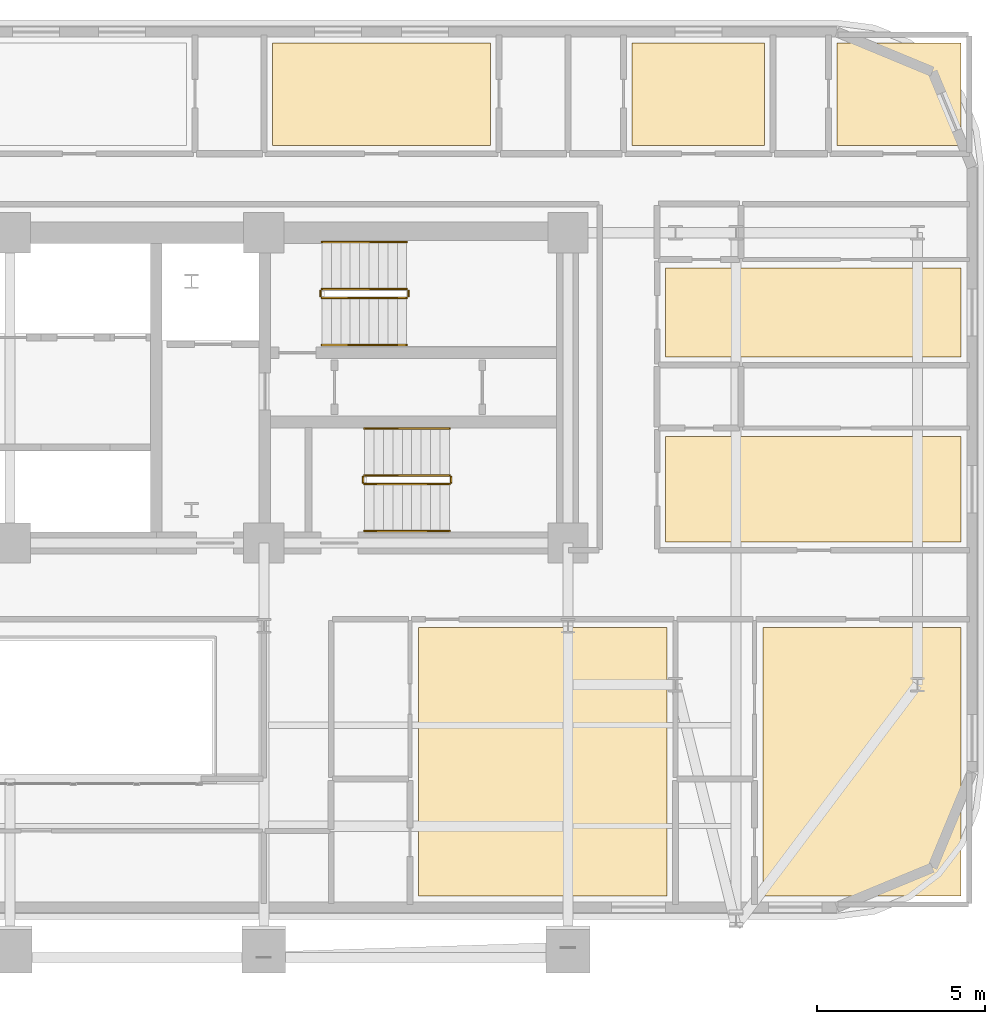
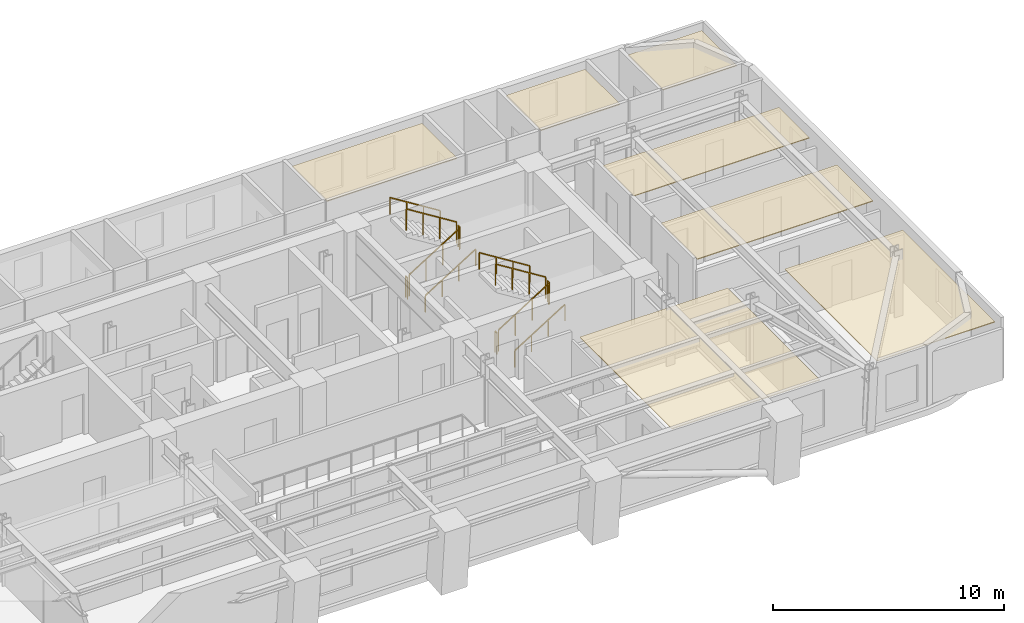
# One storey, part 15 of 15: 12 railings, 7 coverings.
"""IFC4 building model written with IfcOpenShell, lengths in metres."""

import ifcopenshell
import ifcopenshell.guid

model = None  # the IFC model being written
_history = None  # IfcOwnerHistory: only IFC2X3 demands one
_inside = {}  # id of a spatial element -> (the spatial element, [elements in it])
_under = {}  # id of a project, library or spatial element -> (it, [spatial elements below it])
_declared = {}  # id of a project -> (the project, [libraries it declares])
_typed = {}  # id of a type object -> (the type object, [elements of that type])
_made_of = {}  # id of a material, layer set ... -> (it, [elements and type objects made of it])


def new_model(schema):
    """Start an empty IFC model of exactly this schema.

    Asked for "IFC4X3", IfcOpenShell would pick the latest addendum, in which some entities
    have other attributes; the version numbers below select the first issue.
    IFC2X3 requires an IfcOwnerHistory on every rooted entity: one is made here for all.
    """
    global model, _history
    if schema == "IFC4X3":
        model = ifcopenshell.file(schema_version=(4, 3, 0, 0))
    else:
        model = ifcopenshell.file(schema=schema)
    _inside.clear()
    _under.clear()
    _declared.clear()
    _typed.clear()
    _made_of.clear()
    _history = None
    if model.schema == "IFC2X3":
        org = make("IfcOrganization", Name="unknown")
        user = make(
            "IfcPersonAndOrganization",
            ThePerson=make("IfcPerson", FamilyName="unknown"),
            TheOrganization=org,
        )
        app = make(
            "IfcApplication",
            ApplicationDeveloper=org,
            Version="unknown",
            ApplicationFullName="unknown",
            ApplicationIdentifier="unknown",
        )
        _history = make(
            "IfcOwnerHistory",
            OwningUser=user,
            OwningApplication=app,
            ChangeAction="ADDED",
            CreationDate=0,
        )
    return model


def make(cls, **values):
    """One entity of the class cls with the attributes given. An attribute that is None is left unset."""
    return model.create_entity(
        cls, **{name: value for name, value in values.items() if value is not None}
    )


def rooted(cls, **values):
    """An entity with a GlobalId (a new one), such as an element, a storey or a relation."""
    return make(cls, GlobalId=ifcopenshell.guid.new(), OwnerHistory=_history, **values)


def si_unit(unit_type, name, prefix=None):
    """IfcSIUnit, for example si_unit("LENGTHUNIT", "METRE", prefix="MILLI")."""
    return make("IfcSIUnit", UnitType=unit_type, Prefix=prefix, Name=name)


def assignment(units):
    """IfcUnitAssignment: the units of a project."""
    return None if units is None else make("IfcUnitAssignment", Units=units)


def point(xyz):
    """IfcCartesianPoint."""
    return None if xyz is None else make("IfcCartesianPoint", Coordinates=xyz)


def direction(xyz):
    """IfcDirection."""
    return None if xyz is None else make("IfcDirection", DirectionRatios=xyz)


def frame(location, z_axis=None, x_axis=None):
    """IfcAxis2Placement3D, a coordinate frame: its origin and axes. An axis left out is left unset."""
    return make(
        "IfcAxis2Placement3D",
        Location=point(location),
        Axis=direction(z_axis),
        RefDirection=direction(x_axis),
    )


def frame_2d(location, x_axis=None):
    """IfcAxis2Placement2D, a coordinate frame in the plane: its origin and x axis."""
    return make(
        "IfcAxis2Placement2D", Location=point(location), RefDirection=direction(x_axis)
    )


def origin():
    """The frame at (0, 0, 0) with its axes left unset."""
    return frame((0.0, 0.0, 0.0))


def origin_2d():
    """The frame at (0, 0) in the plane with its x axis left unset."""
    return frame_2d((0.0, 0.0))


def place(relative_to, where):
    """IfcLocalPlacement: puts the frame where relative to a parent placement (None: the world)."""
    return make(
        "IfcLocalPlacement", PlacementRelTo=relative_to, RelativePlacement=where
    )


def context(
    kind, dimensions, precision=None, world=None, true_north=None, identifier=None
):
    """IfcGeometricRepresentationContext, for example the 3D "Model" context."""
    return make(
        "IfcGeometricRepresentationContext",
        ContextIdentifier=identifier,
        ContextType=kind,
        CoordinateSpaceDimension=dimensions,
        Precision=precision,
        WorldCoordinateSystem=world,
        TrueNorth=true_north,
    )


def subcontext(parent, identifier, kind, view, scale=None):
    """IfcGeometricRepresentationSubContext, for example "Body" below "Model"."""
    return make(
        "IfcGeometricRepresentationSubContext",
        ContextIdentifier=identifier,
        ContextType=kind,
        ParentContext=parent,
        TargetScale=scale,
        TargetView=view,
    )


def project(units=None, contexts=None):
    """IfcProject with its units and contexts."""
    return rooted(
        "IfcProject",
        Name="project",
        RepresentationContexts=contexts,
        UnitsInContext=assignment(units),
    )


def spatial(cls, under=None, at=None, **own):
    """A site, building, storey or space (cls), placed at a placement, below another one or the project."""
    s = rooted(cls, ObjectPlacement=at, **own)
    if under is not None:
        _under.setdefault(under.id(), (under, []))[1].append(s)
    return s


def polyline(points):
    """IfcPolyline through the points."""
    return make("IfcPolyline", Points=[point(p) for p in points])


def profile(cls, at=None, kind="AREA", **sizes):
    """A parametric profile (cls). Its sizes go by their IFC names, for example OverallWidth=200.0."""
    return make(cls, ProfileType=kind, Position=at, **sizes)


def rectangle(**sizes):
    """IfcRectangleProfileDef."""
    return profile("IfcRectangleProfileDef", **sizes)


def outline(outer, holes=None, kind="AREA"):
    """IfcArbitraryClosedProfileDef: a profile drawn as a closed curve; with holes, ...WithVoids."""
    if holes is None:
        return make("IfcArbitraryClosedProfileDef", ProfileType=kind, OuterCurve=outer)
    return make(
        "IfcArbitraryProfileDefWithVoids",
        ProfileType=kind,
        OuterCurve=outer,
        InnerCurves=holes,
    )


def extrude(swept, where, along, depth):
    """IfcExtrudedAreaSolid: the profile swept, set in the frame where, extruded along a direction by depth."""
    return make(
        "IfcExtrudedAreaSolid",
        SweptArea=swept,
        Position=where,
        ExtrudedDirection=direction(along),
        Depth=depth,
    )


def shape(context_of_items, identifier, shape_type, items):
    """IfcShapeRepresentation: the items that make up one representation, for example the "Body"."""
    return make(
        "IfcShapeRepresentation",
        ContextOfItems=context_of_items,
        RepresentationIdentifier=identifier,
        RepresentationType=shape_type,
        Items=items,
    )


def material(Name=None, Category=None):
    """IfcMaterial."""
    return make("IfcMaterial", Name=Name, Category=Category)


def layer(
    of_material, thickness, ventilated=None, Name=None, Category=None, Priority=None
):
    """IfcMaterialLayer: one layer of a wall or slab, of a material (None: an air gap)."""
    return make(
        "IfcMaterialLayer",
        Material=of_material,
        LayerThickness=thickness,
        IsVentilated=ventilated,
        Name=Name,
        Category=Category,
        Priority=Priority,
    )


def layer_set(layers, Name=None):
    """IfcMaterialLayerSet."""
    return make("IfcMaterialLayerSet", MaterialLayers=layers, LayerSetName=Name)


def made_of(thing, what):
    """Note that an element or type object is made of a material, layer set ...; save() writes the relation."""
    if what is not None:
        _made_of.setdefault(what.id(), (what, []))[1].append(thing)
    return thing


def type_object(cls, material=None, **own):
    """A type object (cls), such as IfcWallType, which elements share."""
    return made_of(rooted(cls, **own), material)


def element(
    cls,
    number,
    at=None,
    inside=None,
    cuts=None,
    type_object=None,
    material=None,
    context=None,
    identifier="Body",
    shape_type=None,
    held_by="IfcProductDefinitionShape",
    body=None,
    shapes=None,
    **own,
):
    """One element of the class cls, such as IfcWall. Its Tag is "e" and its number.

    at: its placement. inside: the storey or other place that contains it. cuts: it is an
    opening in that element (IfcRelVoidsElement). A single representation is given by context,
    identifier, shape_type and body (its items); several are given by shapes. held_by: the class
    of the entity that holds the representations. save() writes the other relations.
    """
    e = rooted(cls, Tag="e%d" % number, ObjectPlacement=at, **own)
    if body is not None:
        shapes = [shape(context, identifier, shape_type, body)]
    if shapes is not None:
        e.Representation = make(held_by, Representations=shapes)
    if inside is not None:
        _inside.setdefault(inside.id(), (inside, []))[1].append(e)
    if cuts is not None:
        rooted(
            "IfcRelVoidsElement", RelatingBuildingElement=cuts, RelatedOpeningElement=e
        )
    if type_object is not None:
        _typed.setdefault(type_object.id(), (type_object, []))[1].append(e)
    return made_of(e, material)


def aggregate(whole, parts):
    """IfcRelAggregates: a whole, such as a stair, and the parts it consists of."""
    return rooted("IfcRelAggregates", RelatingObject=whole, RelatedObjects=parts)


def save(model, path):
    """Write the relations noted so far, then the file.

    IfcRelAggregates (storeys below a building ...), IfcRelContainedInSpatialStructure (elements
    in a storey), IfcRelDefinesByType, IfcRelAssociatesMaterial and IfcRelDeclares: one each for
    every whole, place, type object, material and project.
    """
    for whole, parts in _under.values():
        aggregate(whole, parts)
    for where, things in _inside.values():
        rooted(
            "IfcRelContainedInSpatialStructure",
            RelatedElements=things,
            RelatingStructure=where,
        )
    for kind, things in _typed.values():
        rooted("IfcRelDefinesByType", RelatedObjects=things, RelatingType=kind)
    for what, things in _made_of.values():
        rooted("IfcRelAssociatesMaterial", RelatedObjects=things, RelatingMaterial=what)
    for by, libraries in _declared.values():
        rooted("IfcRelDeclares", RelatingContext=by, RelatedDefinitions=libraries)
    model.write(path)


model = new_model("IFC4")

# Units and contexts
model_context = context("Model", 3, precision=1e-05, world=origin(), true_north=direction((0.0, 1.0)))
body_context = subcontext(model_context, "Body", "Model", "MODEL_VIEW")
ifc_project = project(units=[si_unit("LENGTHUNIT", "METRE"), si_unit("AREAUNIT", "SQUARE_METRE"), si_unit("VOLUMEUNIT", "CUBIC_METRE"), si_unit("PLANEANGLEUNIT", "RADIAN"), si_unit("MASSUNIT", "GRAM", prefix="KILO")], contexts=[model_context])

# Site, building, storey
site_placement = place(None, origin())
site = spatial("IfcSite", under=ifc_project, at=site_placement, CompositionType="ELEMENT")
building_placement = place(site_placement, origin())
building = spatial("IfcBuilding", under=site, at=building_placement, Name="Zarnavel Station Tower", CompositionType="ELEMENT")
storey_placement = place(building_placement, frame((0.0, 0.0, 115.300048828125)))
storey = spatial("IfcBuildingStorey", under=building, at=storey_placement, Name="L31", CompositionType="ELEMENT", Elevation=115.300048828125)

# Coverings
ifc_material_1 = material(Name="Perforated Gypsum and Mineral-Wool Acoustic Ceiling", Category="concrete")
ifc_layer = layer(ifc_material_1, 0.0400390625)
ifc_layer_set = layer_set([ifc_layer], Name="COV_CEIL_ACOUSTIC")
covering_type = type_object("IfcCoveringType", Name="COV_CEIL_ACOUSTIC", PredefinedType="CEILING", material=ifc_layer_set)
covering_1_placement = place(storey_placement, frame((0.0, 0.0, 2.919921875)))
element("IfcCovering", 1, at=covering_1_placement, inside=storey, type_object=covering_type, Name="L31 FNE1R Acoustic Ceiling", PredefinedType="CEILING", context=body_context, shape_type="SweptSolid", body=[
    extrude(outline(polyline([(48.300048828125, 27.85009765625), (57.090087890625, 27.85009765625), (57.090087890625, 30.986083984375), (48.300048828125, 30.986083984375), (48.300048828125, 27.85009765625)])), origin(), (0.0, 0.0, 1.0), 0.0400390625),
])
covering_2_placement = place(storey_placement, frame((0.0, 0.0, 2.919921875)))
element("IfcCovering", 2, at=covering_2_placement, inside=storey, type_object=covering_type, Name="L31 FNE2R Acoustic Ceiling", PredefinedType="CEILING", context=body_context, shape_type="SweptSolid", body=[
    extrude(outline(polyline([(48.300048828125, 33.35888671875), (57.090087890625, 33.35888671875), (57.090087890625, 36.0), (48.300048828125, 36.0), (48.300048828125, 33.35888671875)])), origin(), (0.0, 0.0, 1.0), 0.0400390625),
])
covering_3_placement = place(storey_placement, frame((0.0, 0.0, 2.919921875)))
element("IfcCovering", 3, at=covering_3_placement, inside=storey, type_object=covering_type, Name="L31 HN4R Acoustic Ceiling", PredefinedType="CEILING", context=body_context, shape_type="SweptSolid", body=[
    extrude(outline(polyline([(36.60009765625, 39.64990234375), (43.10009765625, 39.64990234375), (43.10009765625, 42.68994140625), (36.60009765625, 42.68994140625), (36.60009765625, 39.64990234375)])), origin(), (0.0, 0.0, 1.0), 0.0400390625),
])
covering_4_placement = place(storey_placement, frame((0.0, 0.0, 2.919921875)))
element("IfcCovering", 4, at=covering_4_placement, inside=storey, type_object=covering_type, Name="L31 HN5R Acoustic Ceiling", PredefinedType="CEILING", context=body_context, shape_type="SweptSolid", body=[
    extrude(outline(polyline([(47.300048828125, 39.64990234375), (51.25390625, 39.64990234375), (51.25390625, 42.68994140625), (47.300048828125, 42.68994140625), (47.300048828125, 39.64990234375)])), origin(), (0.0, 0.0, 1.0), 0.0400390625),
])
covering_5_placement = place(storey_placement, frame((0.0, 0.0, 2.919921875)))
element("IfcCovering", 5, at=covering_5_placement, inside=storey, type_object=covering_type, Name="L31 HN6R Acoustic Ceiling", PredefinedType="CEILING", context=body_context, shape_type="SweptSolid", body=[
    extrude(outline(polyline([(53.404052734375, 39.64990234375), (57.090087890625, 39.64990234375), (57.090087890625, 42.68994140625), (53.404052734375, 42.68994140625), (53.404052734375, 39.64990234375)])), origin(), (0.0, 0.0, 1.0), 0.0400390625),
])
covering_6_placement = place(storey_placement, frame((0.0, 0.0, 2.919921875)))
element("IfcCovering", 6, at=covering_6_placement, inside=storey, type_object=covering_type, Name="L31 HE1R Acoustic Ceiling", PredefinedType="CEILING", context=body_context, shape_type="SweptSolid", body=[
    extrude(outline(polyline([(40.949951171875, 17.31005859375), (48.35009765625, 17.31005859375), (48.35009765625, 25.300048828125), (40.949951171875, 25.300048828125), (40.949951171875, 17.31005859375)])), origin(), (0.0, 0.0, 1.0), 0.0400390625),
])
covering_7_placement = place(storey_placement, frame((0.0, 0.0, 2.919921875)))
element("IfcCovering", 7, at=covering_7_placement, inside=storey, type_object=covering_type, Name="L31 HE2R Acoustic Ceiling", PredefinedType="CEILING", context=body_context, shape_type="SweptSolid", body=[
    extrude(outline(polyline([(51.199951171875, 17.31005859375), (57.090087890625, 17.31005859375), (57.090087890625, 25.300048828125), (51.199951171875, 25.300048828125), (51.199951171875, 17.31005859375)])), origin(), (0.0, 0.0, 1.0), 0.0400390625),
])

# Railings
ifc_material_2 = material(Name="Painted Steel S355J2 Balustrade", Category="steel")
railing_type_1 = type_object("IfcRailingType", Name="GR_INT_1150", PredefinedType="GUARDRAIL", material=ifc_material_2)
railing_1_placement = place(storey_placement, frame((38.080078125, 35.110107421875, 0.175048828125)))
element("IfcRailing", 8, at=railing_1_placement, inside=storey, type_object=railing_type_1, Name="L31 ST2 stair guard 1", PredefinedType="GUARDRAIL", context=body_context, shape_type="SweptSolid", body=[
    extrude(rectangle(XDim=0.048095703125, YDim=0.048095703125, at=origin_2d()), frame((0.001708984375, 0.0, 1.126953125), z_axis=(0.848007534815, 0.0, 0.529984170421), x_axis=(0.0, 1.0, 0.0)), (0.0, 0.0, 1.0), 2.9677734375),
    extrude(rectangle(XDim=0.0419921875, YDim=0.0419921875, at=origin_2d()), origin(), (0.0, 0.0, 1.0), 1.101806640625),
    extrude(rectangle(XDim=0.0419921875, YDim=0.0419921875, at=origin_2d()), frame((0.840087890625, 0.0, 0.52490234375)), (0.0, 0.0, 1.0), 1.101806640625),
    extrude(rectangle(XDim=0.0419921875, YDim=0.0419921875, at=origin_2d()), frame((1.679931640625, 0.0, 1.050048828125)), (0.0, 0.0, 1.0), 1.101806640625),
    extrude(rectangle(XDim=0.0419921875, YDim=0.0419921875, at=origin_2d()), frame((2.52001953125, 0.0, 1.574951171875)), (0.0, 0.0, 1.0), 1.101806640625),
])
railing_2_placement = place(storey_placement, frame((40.64990234375, 35.159912109375, 1.75)))
element("IfcRailing", 9, at=railing_2_placement, inside=storey, type_object=railing_type_1, Name="L31 ST2 stair guard 2", PredefinedType="GUARDRAIL", context=body_context, shape_type="SweptSolid", body=[
    extrude(rectangle(XDim=0.048095703125, YDim=0.048095703125, at=origin_2d()), frame((0.0, 0.001953125, 1.1259765625), z_axis=(0.0, 1.0, 0.0), x_axis=(-1.0, 0.0, 0.0)), (0.0, 0.0, 1.0), 0.15625),
    extrude(rectangle(XDim=0.0419921875, YDim=0.0419921875, at=origin_2d()), origin(), (0.0, 0.0, 1.0), 1.101806640625),
    extrude(rectangle(XDim=0.0419921875, YDim=0.0419921875, at=origin_2d()), frame((0.0, 0.16015625, 0.0)), (0.0, 0.0, 1.0), 1.101806640625),
])
railing_3_placement = place(storey_placement, frame((40.60009765625, 35.3701171875, 1.925048828125)))
element("IfcRailing", 10, at=railing_3_placement, inside=storey, type_object=railing_type_1, Name="L31 ST2 stair guard 3", PredefinedType="GUARDRAIL", context=body_context, shape_type="SweptSolid", body=[
    extrude(rectangle(XDim=0.048095703125, YDim=0.048095703125, at=origin_2d()), frame((-0.001708984375, 0.0, 1.126953125), z_axis=(-0.848007534815, 0.0, 0.529984170421), x_axis=(0.0, -1.0, 0.0)), (0.0, 0.0, 1.0), 2.9677734375),
    extrude(rectangle(XDim=0.0419921875, YDim=0.0419921875, at=origin_2d()), origin(), (0.0, 0.0, 1.0), 1.101806640625),
    extrude(rectangle(XDim=0.0419921875, YDim=0.0419921875, at=origin_2d()), frame((-0.840087890625, 0.0, 0.52490234375)), (0.0, 0.0, 1.0), 1.101806640625),
    extrude(rectangle(XDim=0.0419921875, YDim=0.0419921875, at=origin_2d()), frame((-1.679931640625, 0.0, 1.050048828125)), (0.0, 0.0, 1.0), 1.101806640625),
    extrude(rectangle(XDim=0.0419921875, YDim=0.0419921875, at=origin_2d()), frame((-2.52001953125, 0.0, 1.574951171875)), (0.0, 0.0, 1.0), 1.101806640625),
])
railing_4_placement = place(storey_placement, frame((38.030029296875, 35.159912109375, 0.0)))
element("IfcRailing", 11, at=railing_4_placement, inside=storey, type_object=railing_type_1, Name="L31 ST2 stair guard 4", PredefinedType="GUARDRAIL", context=body_context, shape_type="SweptSolid", body=[
    extrude(rectangle(XDim=0.048095703125, YDim=0.048095703125, at=origin_2d()), frame((0.0, 0.001953125, 1.1259765625), z_axis=(0.0, 1.0, 0.0), x_axis=(-1.0, 0.0, 0.0)), (0.0, 0.0, 1.0), 0.15625),
    extrude(rectangle(XDim=0.0419921875, YDim=0.0419921875, at=origin_2d()), origin(), (0.0, 0.0, 1.0), 1.101806640625),
    extrude(rectangle(XDim=0.0419921875, YDim=0.0419921875, at=origin_2d()), frame((0.0, 0.16015625, 0.0)), (0.0, 0.0, 1.0), 1.101806640625),
])
railing_5_placement = place(storey_placement, frame((39.35009765625, 29.570068359375, 0.175048828125)))
element("IfcRailing", 12, at=railing_5_placement, inside=storey, type_object=railing_type_1, Name="L31 ST3 stair guard 1", PredefinedType="GUARDRAIL", context=body_context, shape_type="SweptSolid", body=[
    extrude(rectangle(XDim=0.048095703125, YDim=0.048095703125, at=origin_2d()), frame((0.001708984375, 0.0, 1.126953125), z_axis=(0.848007534815, 0.0, 0.529984170421), x_axis=(0.0, 1.0, 0.0)), (0.0, 0.0, 1.0), 2.9677734375),
    extrude(rectangle(XDim=0.0419921875, YDim=0.0419921875, at=origin_2d()), origin(), (0.0, 0.0, 1.0), 1.101806640625),
    extrude(rectangle(XDim=0.0419921875, YDim=0.0419921875, at=origin_2d()), frame((0.840087890625, 0.0, 0.52490234375)), (0.0, 0.0, 1.0), 1.101806640625),
    extrude(rectangle(XDim=0.0419921875, YDim=0.0419921875, at=origin_2d()), frame((1.679931640625, 0.0, 1.050048828125)), (0.0, 0.0, 1.0), 1.101806640625),
    extrude(rectangle(XDim=0.0419921875, YDim=0.0419921875, at=origin_2d()), frame((2.52001953125, 0.0, 1.574951171875)), (0.0, 0.0, 1.0), 1.101806640625),
])
railing_6_placement = place(storey_placement, frame((41.919921875, 29.6201171875, 1.75)))
element("IfcRailing", 13, at=railing_6_placement, inside=storey, type_object=railing_type_1, Name="L31 ST3 stair guard 2", PredefinedType="GUARDRAIL", context=body_context, shape_type="SweptSolid", body=[
    extrude(rectangle(XDim=0.048095703125, YDim=0.048095703125, at=origin_2d()), frame((0.0, 0.001953125, 1.1259765625), z_axis=(0.0, 1.0, 0.0), x_axis=(-1.0, 0.0, 0.0)), (0.0, 0.0, 1.0), 0.156005859375),
    extrude(rectangle(XDim=0.0419921875, YDim=0.0419921875, at=origin_2d()), origin(), (0.0, 0.0, 1.0), 1.101806640625),
    extrude(rectangle(XDim=0.0419921875, YDim=0.0419921875, at=origin_2d()), frame((0.0, 0.159912109375, 0.0)), (0.0, 0.0, 1.0), 1.101806640625),
])
railing_7_placement = place(storey_placement, frame((41.8701171875, 29.830078125, 1.925048828125)))
element("IfcRailing", 14, at=railing_7_placement, inside=storey, type_object=railing_type_1, Name="L31 ST3 stair guard 3", PredefinedType="GUARDRAIL", context=body_context, shape_type="SweptSolid", body=[
    extrude(rectangle(XDim=0.048095703125, YDim=0.048095703125, at=origin_2d()), frame((-0.001708984375, 0.0, 1.126953125), z_axis=(-0.848007534815, 0.0, 0.529984170421), x_axis=(0.0, -1.0, 0.0)), (0.0, 0.0, 1.0), 2.9677734375),
    extrude(rectangle(XDim=0.0419921875, YDim=0.0419921875, at=origin_2d()), origin(), (0.0, 0.0, 1.0), 1.101806640625),
    extrude(rectangle(XDim=0.0419921875, YDim=0.0419921875, at=origin_2d()), frame((-0.840087890625, 0.0, 0.52490234375)), (0.0, 0.0, 1.0), 1.101806640625),
    extrude(rectangle(XDim=0.0419921875, YDim=0.0419921875, at=origin_2d()), frame((-1.679931640625, 0.0, 1.050048828125)), (0.0, 0.0, 1.0), 1.101806640625),
    extrude(rectangle(XDim=0.0419921875, YDim=0.0419921875, at=origin_2d()), frame((-2.52001953125, 0.0, 1.574951171875)), (0.0, 0.0, 1.0), 1.101806640625),
])
railing_8_placement = place(storey_placement, frame((39.300048828125, 29.6201171875, 0.0)))
element("IfcRailing", 15, at=railing_8_placement, inside=storey, type_object=railing_type_1, Name="L31 ST3 stair guard 4", PredefinedType="GUARDRAIL", context=body_context, shape_type="SweptSolid", body=[
    extrude(rectangle(XDim=0.048095703125, YDim=0.048095703125, at=origin_2d()), frame((0.0, 0.001953125, 1.1259765625), z_axis=(0.0, 1.0, 0.0), x_axis=(-1.0, 0.0, 0.0)), (0.0, 0.0, 1.0), 0.156005859375),
    extrude(rectangle(XDim=0.0419921875, YDim=0.0419921875, at=origin_2d()), origin(), (0.0, 0.0, 1.0), 1.101806640625),
    extrude(rectangle(XDim=0.0419921875, YDim=0.0419921875, at=origin_2d()), frame((0.0, 0.159912109375, 0.0)), (0.0, 0.0, 1.0), 1.101806640625),
])
ifc_material_3 = material(Name="Brushed Stainless Steel S355J2 Handrail", Category="steel")
railing_type_2 = type_object("IfcRailingType", Name="HR_STAIR_900", PredefinedType="HANDRAIL", material=ifc_material_3)
railing_9_placement = place(storey_placement, frame((38.080078125, 33.7099609375, 0.175048828125)))
element("IfcRailing", 16, at=railing_9_placement, inside=storey, type_object=railing_type_2, Name="L31 ST2 stair handrail 1", PredefinedType="HANDRAIL", context=body_context, shape_type="SweptSolid", body=[
    extrude(rectangle(XDim=0.048095703125, YDim=0.048095703125, at=origin_2d()), frame((0.001708984375, 0.0, 0.876953125), z_axis=(0.848007534815, 0.0, 0.529984170421), x_axis=(0.0, 1.0, 0.0)), (0.0, 0.0, 1.0), 2.9677734375),
    extrude(rectangle(XDim=0.0419921875, YDim=0.0419921875, at=origin_2d()), origin(), (0.0, 0.0, 1.0), 0.851806640625),
    extrude(rectangle(XDim=0.0419921875, YDim=0.0419921875, at=origin_2d()), frame((0.840087890625, 0.0, 0.52490234375)), (0.0, 0.0, 1.0), 0.851806640625),
    extrude(rectangle(XDim=0.0419921875, YDim=0.0419921875, at=origin_2d()), frame((1.679931640625, 0.0, 1.050048828125)), (0.0, 0.0, 1.0), 0.851806640625),
    extrude(rectangle(XDim=0.0419921875, YDim=0.0419921875, at=origin_2d()), frame((2.52001953125, 0.0, 1.574951171875)), (0.0, 0.0, 1.0), 0.851806640625),
])
railing_10_placement = place(storey_placement, frame((40.60009765625, 36.77001953125, 1.925048828125)))
element("IfcRailing", 17, at=railing_10_placement, inside=storey, type_object=railing_type_2, Name="L31 ST2 stair handrail 2", PredefinedType="HANDRAIL", context=body_context, shape_type="SweptSolid", body=[
    extrude(rectangle(XDim=0.048095703125, YDim=0.048095703125, at=origin_2d()), frame((-0.001708984375, 0.0, 0.876953125), z_axis=(-0.848007534815, 0.0, 0.529984170421), x_axis=(0.0, -1.0, 0.0)), (0.0, 0.0, 1.0), 2.9677734375),
    extrude(rectangle(XDim=0.0419921875, YDim=0.0419921875, at=origin_2d()), origin(), (0.0, 0.0, 1.0), 0.851806640625),
    extrude(rectangle(XDim=0.0419921875, YDim=0.0419921875, at=origin_2d()), frame((-0.840087890625, 0.0, 0.52490234375)), (0.0, 0.0, 1.0), 0.851806640625),
    extrude(rectangle(XDim=0.0419921875, YDim=0.0419921875, at=origin_2d()), frame((-1.679931640625, 0.0, 1.050048828125)), (0.0, 0.0, 1.0), 0.851806640625),
    extrude(rectangle(XDim=0.0419921875, YDim=0.0419921875, at=origin_2d()), frame((-2.52001953125, 0.0, 1.574951171875)), (0.0, 0.0, 1.0), 0.851806640625),
])
railing_11_placement = place(storey_placement, frame((39.35009765625, 28.169921875, 0.175048828125)))
element("IfcRailing", 18, at=railing_11_placement, inside=storey, type_object=railing_type_2, Name="L31 ST3 stair handrail 1", PredefinedType="HANDRAIL", context=body_context, shape_type="SweptSolid", body=[
    extrude(rectangle(XDim=0.048095703125, YDim=0.048095703125, at=origin_2d()), frame((0.001708984375, 0.0, 0.876953125), z_axis=(0.848007534815, 0.0, 0.529984170421), x_axis=(0.0, 1.0, 0.0)), (0.0, 0.0, 1.0), 2.9677734375),
    extrude(rectangle(XDim=0.0419921875, YDim=0.0419921875, at=origin_2d()), origin(), (0.0, 0.0, 1.0), 0.851806640625),
    extrude(rectangle(XDim=0.0419921875, YDim=0.0419921875, at=origin_2d()), frame((0.840087890625, 0.0, 0.52490234375)), (0.0, 0.0, 1.0), 0.851806640625),
    extrude(rectangle(XDim=0.0419921875, YDim=0.0419921875, at=origin_2d()), frame((1.679931640625, 0.0, 1.050048828125)), (0.0, 0.0, 1.0), 0.851806640625),
    extrude(rectangle(XDim=0.0419921875, YDim=0.0419921875, at=origin_2d()), frame((2.52001953125, 0.0, 1.574951171875)), (0.0, 0.0, 1.0), 0.851806640625),
])
railing_12_placement = place(storey_placement, frame((41.8701171875, 31.22998046875, 1.925048828125)))
element("IfcRailing", 19, at=railing_12_placement, inside=storey, type_object=railing_type_2, Name="L31 ST3 stair handrail 2", PredefinedType="HANDRAIL", context=body_context, shape_type="SweptSolid", body=[
    extrude(rectangle(XDim=0.048095703125, YDim=0.048095703125, at=origin_2d()), frame((-0.001708984375, 0.0, 0.876953125), z_axis=(-0.848007534815, 0.0, 0.529984170421), x_axis=(0.0, -1.0, 0.0)), (0.0, 0.0, 1.0), 2.9677734375),
    extrude(rectangle(XDim=0.0419921875, YDim=0.0419921875, at=origin_2d()), origin(), (0.0, 0.0, 1.0), 0.851806640625),
    extrude(rectangle(XDim=0.0419921875, YDim=0.0419921875, at=origin_2d()), frame((-0.840087890625, 0.0, 0.52490234375)), (0.0, 0.0, 1.0), 0.851806640625),
    extrude(rectangle(XDim=0.0419921875, YDim=0.0419921875, at=origin_2d()), frame((-1.679931640625, 0.0, 1.050048828125)), (0.0, 0.0, 1.0), 0.851806640625),
    extrude(rectangle(XDim=0.0419921875, YDim=0.0419921875, at=origin_2d()), frame((-2.52001953125, 0.0, 1.574951171875)), (0.0, 0.0, 1.0), 0.851806640625),
])

save(model, "model.ifc")
